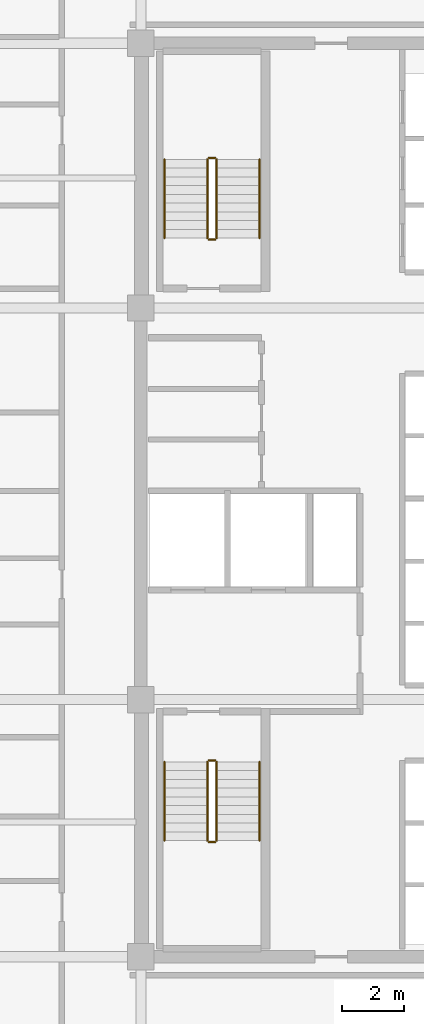
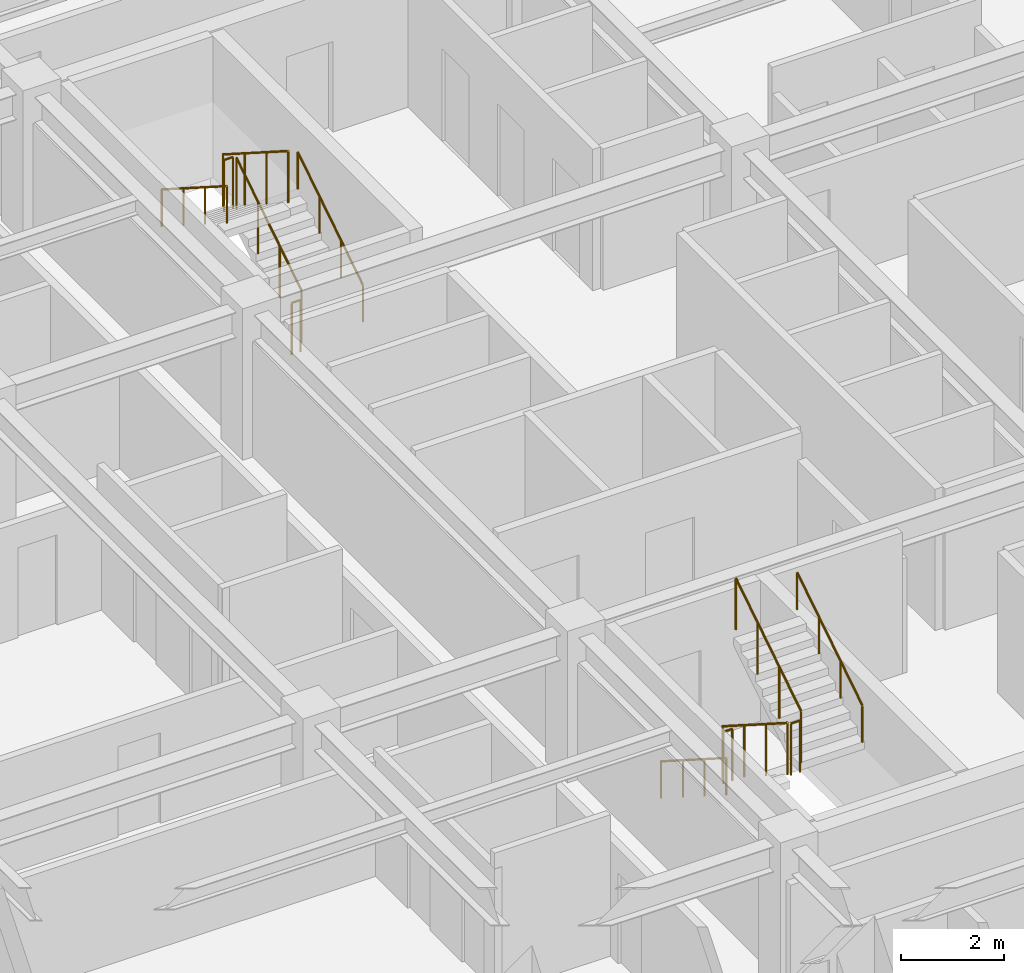
# One storey, part 8 of 8: 12 railings.
"""IFC4 building model written with IfcOpenShell, lengths in metres."""

from ifc_helpers import new_model, si_unit, direction, frame, origin, origin_2d, place, context, subcontext, project, spatial, circle, extrude, material, type_object, element, save


model = new_model("IFC4")

# Units and contexts
model_context = context("Model", 3, precision=1e-05, world=origin(), true_north=direction((0.0, 1.0)))
body_context = subcontext(model_context, "Body", "Model", "MODEL_VIEW")
ifc_project = project(units=[si_unit("LENGTHUNIT", "METRE"), si_unit("AREAUNIT", "SQUARE_METRE"), si_unit("VOLUMEUNIT", "CUBIC_METRE"), si_unit("PLANEANGLEUNIT", "RADIAN"), si_unit("MASSUNIT", "GRAM", prefix="KILO")], contexts=[model_context])

# Site, building, storey
site_placement = place(None, origin())
site = spatial("IfcSite", under=ifc_project, at=site_placement, CompositionType="ELEMENT")
building_placement = place(site_placement, origin())
building = spatial("IfcBuilding", under=site, at=building_placement, Name="Ochreholt Gables", CompositionType="ELEMENT")
storey_placement = place(building_placement, frame((0.0, 0.0, 102.60009765625)))
storey = spatial("IfcBuildingStorey", under=building, at=storey_placement, Name="L26", CompositionType="ELEMENT", Elevation=102.60009765625)

# Railings
ifc_material_1 = material(Name="Painted Steel Stair Guardrail", Category="steel")
railing_type_1 = type_object("IfcRailingType", Name="RL-ST-GUARD", PredefinedType="GUARDRAIL", material=ifc_material_1)
railing_1_placement = place(storey_placement, frame((26.35009765625, 15.5400390625, 0.179931640625)))
element("IfcRailing", 1, at=railing_1_placement, inside=storey, type_object=railing_type_1, Name="L26 ST-1 stair guard 1", PredefinedType="GUARDRAIL", context=body_context, shape_type="SweptSolid", body=[
    extrude(circle(Radius=0.02392578125, at=origin_2d()), frame((0.0, 0.0, 1.22607421875), z_axis=(0.0, -0.842949592929, 0.537992549931), x_axis=(1.0, 0.0, 0.0)), (0.0, 0.0, 1.0), 3.010986328125),
    extrude(circle(Radius=0.02099609375, at=origin_2d()), origin(), (0.0, 0.0, 1.0), 1.201904296875),
    extrude(circle(Radius=0.02099609375, at=origin_2d()), frame((0.0, -0.845947265625, 0.5400390625)), (0.0, 0.0, 1.0), 1.201904296875),
    extrude(circle(Radius=0.02099609375, at=origin_2d()), frame((0.0, -1.692138671875, 1.079833984375)), (0.0, 0.0, 1.0), 1.201904296875),
    extrude(circle(Radius=0.02099609375, at=origin_2d()), frame((0.0, -2.5380859375, 1.619873046875)), (0.0, 0.0, 1.0), 1.201904296875),
])
railing_2_placement = place(storey_placement, frame((26.39990234375, 12.951904296875, 1.7998046875)))
element("IfcRailing", 2, at=railing_2_placement, inside=storey, type_object=railing_type_1, Name="L26 ST-1 stair guard 2", PredefinedType="GUARDRAIL", context=body_context, shape_type="SweptSolid", body=[
    extrude(circle(Radius=0.02392578125, at=origin_2d()), frame((0.0, 0.0, 1.22607421875), z_axis=(1.0, 0.0, 0.0), x_axis=(0.0, 1.0, 0.0)), (0.0, 0.0, 1.0), 0.2001953125),
    extrude(circle(Radius=0.02099609375, at=origin_2d()), origin(), (0.0, 0.0, 1.0), 1.201904296875),
    extrude(circle(Radius=0.02099609375, at=origin_2d()), frame((0.2001953125, 0.0, 0.0)), (0.0, 0.0, 1.0), 1.201904296875),
])
railing_3_placement = place(storey_placement, frame((26.64990234375, 13.001953125, 1.97998046875)))
element("IfcRailing", 3, at=railing_3_placement, inside=storey, type_object=railing_type_1, Name="L26 ST-1 stair guard 3", PredefinedType="GUARDRAIL", context=body_context, shape_type="SweptSolid", body=[
    extrude(circle(Radius=0.02392578125, at=origin_2d()), frame((0.0, 0.0, 1.22607421875), z_axis=(0.0, 0.842949592929, 0.537992549931), x_axis=(-1.0, 0.0, 0.0)), (0.0, 0.0, 1.0), 3.010986328125),
    extrude(circle(Radius=0.02099609375, at=origin_2d()), origin(), (0.0, 0.0, 1.0), 1.201904296875),
    extrude(circle(Radius=0.02099609375, at=origin_2d()), frame((0.0, 0.845947265625, 0.5400390625)), (0.0, 0.0, 1.0), 1.201904296875),
    extrude(circle(Radius=0.02099609375, at=origin_2d()), frame((0.0, 1.692138671875, 1.079833984375)), (0.0, 0.0, 1.0), 1.201904296875),
    extrude(circle(Radius=0.02099609375, at=origin_2d()), frame((0.0, 2.5380859375, 1.619873046875)), (0.0, 0.0, 1.0), 1.201904296875),
])
railing_4_placement = place(storey_placement, frame((26.39990234375, 15.590087890625, 0.0)))
element("IfcRailing", 4, at=railing_4_placement, inside=storey, type_object=railing_type_1, Name="L26 ST-1 stair guard 4", PredefinedType="GUARDRAIL", context=body_context, shape_type="SweptSolid", body=[
    extrude(circle(Radius=0.02392578125, at=origin_2d()), frame((0.0, 0.0, 1.22607421875), z_axis=(1.0, 0.0, 0.0), x_axis=(0.0, 1.0, 0.0)), (0.0, 0.0, 1.0), 0.2001953125),
    extrude(circle(Radius=0.02099609375, at=origin_2d()), origin(), (0.0, 0.0, 1.0), 1.201904296875),
    extrude(circle(Radius=0.02099609375, at=origin_2d()), frame((0.2001953125, 0.0, 0.0)), (0.0, 0.0, 1.0), 1.201904296875),
])
railing_5_placement = place(storey_placement, frame((26.64990234375, 32.4599609375, 0.179931640625)))
element("IfcRailing", 5, at=railing_5_placement, inside=storey, type_object=railing_type_1, Name="L26 ST-2 stair guard 1", PredefinedType="GUARDRAIL", context=body_context, shape_type="SweptSolid", body=[
    extrude(circle(Radius=0.02392578125, at=origin_2d()), frame((0.0, 0.0, 1.22607421875), z_axis=(0.0, 0.842949592929, 0.537992549931), x_axis=(-1.0, 0.0, 0.0)), (0.0, 0.0, 1.0), 3.010986328125),
    extrude(circle(Radius=0.02099609375, at=origin_2d()), origin(), (0.0, 0.0, 1.0), 1.201904296875),
    extrude(circle(Radius=0.02099609375, at=origin_2d()), frame((0.0, 0.845947265625, 0.5400390625)), (0.0, 0.0, 1.0), 1.201904296875),
    extrude(circle(Radius=0.02099609375, at=origin_2d()), frame((0.0, 1.692138671875, 1.079833984375)), (0.0, 0.0, 1.0), 1.201904296875),
    extrude(circle(Radius=0.02099609375, at=origin_2d()), frame((0.0, 2.5380859375, 1.619873046875)), (0.0, 0.0, 1.0), 1.201904296875),
])
railing_6_placement = place(storey_placement, frame((26.60009765625, 35.048095703125, 1.7998046875)))
element("IfcRailing", 6, at=railing_6_placement, inside=storey, type_object=railing_type_1, Name="L26 ST-2 stair guard 2", PredefinedType="GUARDRAIL", context=body_context, shape_type="SweptSolid", body=[
    extrude(circle(Radius=0.02392578125, at=origin_2d()), frame((0.0, 0.0, 1.22607421875), z_axis=(-1.0, 0.0, 0.0), x_axis=(0.0, -1.0, 0.0)), (0.0, 0.0, 1.0), 0.2001953125),
    extrude(circle(Radius=0.02099609375, at=origin_2d()), origin(), (0.0, 0.0, 1.0), 1.201904296875),
    extrude(circle(Radius=0.02099609375, at=origin_2d()), frame((-0.2001953125, 0.0, 0.0)), (0.0, 0.0, 1.0), 1.201904296875),
])
railing_7_placement = place(storey_placement, frame((26.35009765625, 34.998046875, 1.97998046875)))
element("IfcRailing", 7, at=railing_7_placement, inside=storey, type_object=railing_type_1, Name="L26 ST-2 stair guard 3", PredefinedType="GUARDRAIL", context=body_context, shape_type="SweptSolid", body=[
    extrude(circle(Radius=0.02392578125, at=origin_2d()), frame((0.0, 0.0, 1.22607421875), z_axis=(0.0, -0.842949592929, 0.537992549931), x_axis=(1.0, 0.0, 0.0)), (0.0, 0.0, 1.0), 3.010986328125),
    extrude(circle(Radius=0.02099609375, at=origin_2d()), origin(), (0.0, 0.0, 1.0), 1.201904296875),
    extrude(circle(Radius=0.02099609375, at=origin_2d()), frame((0.0, -0.845947265625, 0.5400390625)), (0.0, 0.0, 1.0), 1.201904296875),
    extrude(circle(Radius=0.02099609375, at=origin_2d()), frame((0.0, -1.692138671875, 1.079833984375)), (0.0, 0.0, 1.0), 1.201904296875),
    extrude(circle(Radius=0.02099609375, at=origin_2d()), frame((0.0, -2.5380859375, 1.619873046875)), (0.0, 0.0, 1.0), 1.201904296875),
])
railing_8_placement = place(storey_placement, frame((26.60009765625, 32.409912109375, 0.0)))
element("IfcRailing", 8, at=railing_8_placement, inside=storey, type_object=railing_type_1, Name="L26 ST-2 stair guard 4", PredefinedType="GUARDRAIL", context=body_context, shape_type="SweptSolid", body=[
    extrude(circle(Radius=0.02392578125, at=origin_2d()), frame((0.0, 0.0, 1.22607421875), z_axis=(-1.0, 0.0, 0.0), x_axis=(0.0, -1.0, 0.0)), (0.0, 0.0, 1.0), 0.2001953125),
    extrude(circle(Radius=0.02099609375, at=origin_2d()), origin(), (0.0, 0.0, 1.0), 1.201904296875),
    extrude(circle(Radius=0.02099609375, at=origin_2d()), frame((-0.2001953125, 0.0, 0.0)), (0.0, 0.0, 1.0), 1.201904296875),
])
ifc_material_2 = material(Name="Brushed Stainless Steel Wall Handrail", Category="steel")
railing_type_2 = type_object("IfcRailingType", Name="RL-ST-HAND", PredefinedType="HANDRAIL", material=ifc_material_2)
railing_9_placement = place(storey_placement, frame((24.969970703125, 15.5400390625, 0.179931640625)))
element("IfcRailing", 9, at=railing_9_placement, inside=storey, type_object=railing_type_2, Name="L26 ST-1 stair handrail 1", PredefinedType="HANDRAIL", context=body_context, shape_type="SweptSolid", body=[
    extrude(circle(Radius=0.02392578125, at=origin_2d()), frame((0.0, 0.0, 0.8759765625), z_axis=(0.0, -0.842949592929, 0.537992549931), x_axis=(1.0, 0.0, 0.0)), (0.0, 0.0, 1.0), 3.010986328125),
    extrude(circle(Radius=0.02099609375, at=origin_2d()), origin(), (0.0, 0.0, 1.0), 0.851806640625),
    extrude(circle(Radius=0.02099609375, at=origin_2d()), frame((0.0, -0.845947265625, 0.5400390625)), (0.0, 0.0, 1.0), 0.851806640625),
    extrude(circle(Radius=0.02099609375, at=origin_2d()), frame((0.0, -1.692138671875, 1.079833984375)), (0.0, 0.0, 1.0), 0.851806640625),
    extrude(circle(Radius=0.02099609375, at=origin_2d()), frame((0.0, -2.5380859375, 1.619873046875)), (0.0, 0.0, 1.0), 0.851806640625),
])
for number, where, name in (
    (10, (28.030029296875, 13.001953125, 1.97998046875), "L26 ST-1 stair handrail 2"),
    (11, (28.030029296875, 32.4599609375, 0.179931640625), "L26 ST-2 stair handrail 1"),
):
    element("IfcRailing", number, at=place(storey_placement, frame(where)), inside=storey, type_object=railing_type_2, Name=name, PredefinedType="HANDRAIL", context=body_context, shape_type="SweptSolid", body=[
        extrude(circle(Radius=0.02392578125, at=origin_2d()), frame((0.0, 0.0, 0.8759765625), z_axis=(0.0, 0.842949592929, 0.537992549931), x_axis=(-1.0, 0.0, 0.0)), (0.0, 0.0, 1.0), 3.010986328125),
        extrude(circle(Radius=0.02099609375, at=origin_2d()), origin(), (0.0, 0.0, 1.0), 0.851806640625),
        extrude(circle(Radius=0.02099609375, at=origin_2d()), frame((0.0, 0.845947265625, 0.5400390625)), (0.0, 0.0, 1.0), 0.851806640625),
        extrude(circle(Radius=0.02099609375, at=origin_2d()), frame((0.0, 1.692138671875, 1.079833984375)), (0.0, 0.0, 1.0), 0.851806640625),
        extrude(circle(Radius=0.02099609375, at=origin_2d()), frame((0.0, 2.5380859375, 1.619873046875)), (0.0, 0.0, 1.0), 0.851806640625),
    ])
railing_10_placement = place(storey_placement, frame((24.969970703125, 34.998046875, 1.97998046875)))
element("IfcRailing", 12, at=railing_10_placement, inside=storey, type_object=railing_type_2, Name="L26 ST-2 stair handrail 2", PredefinedType="HANDRAIL", context=body_context, shape_type="SweptSolid", body=[
    extrude(circle(Radius=0.02392578125, at=origin_2d()), frame((0.0, 0.0, 0.8759765625), z_axis=(0.0, -0.842949592929, 0.537992549931), x_axis=(1.0, 0.0, 0.0)), (0.0, 0.0, 1.0), 3.010986328125),
    extrude(circle(Radius=0.02099609375, at=origin_2d()), origin(), (0.0, 0.0, 1.0), 0.851806640625),
    extrude(circle(Radius=0.02099609375, at=origin_2d()), frame((0.0, -0.845947265625, 0.5400390625)), (0.0, 0.0, 1.0), 0.851806640625),
    extrude(circle(Radius=0.02099609375, at=origin_2d()), frame((0.0, -1.692138671875, 1.079833984375)), (0.0, 0.0, 1.0), 0.851806640625),
    extrude(circle(Radius=0.02099609375, at=origin_2d()), frame((0.0, -2.5380859375, 1.619873046875)), (0.0, 0.0, 1.0), 0.851806640625),
])

save(model, "model.ifc")
